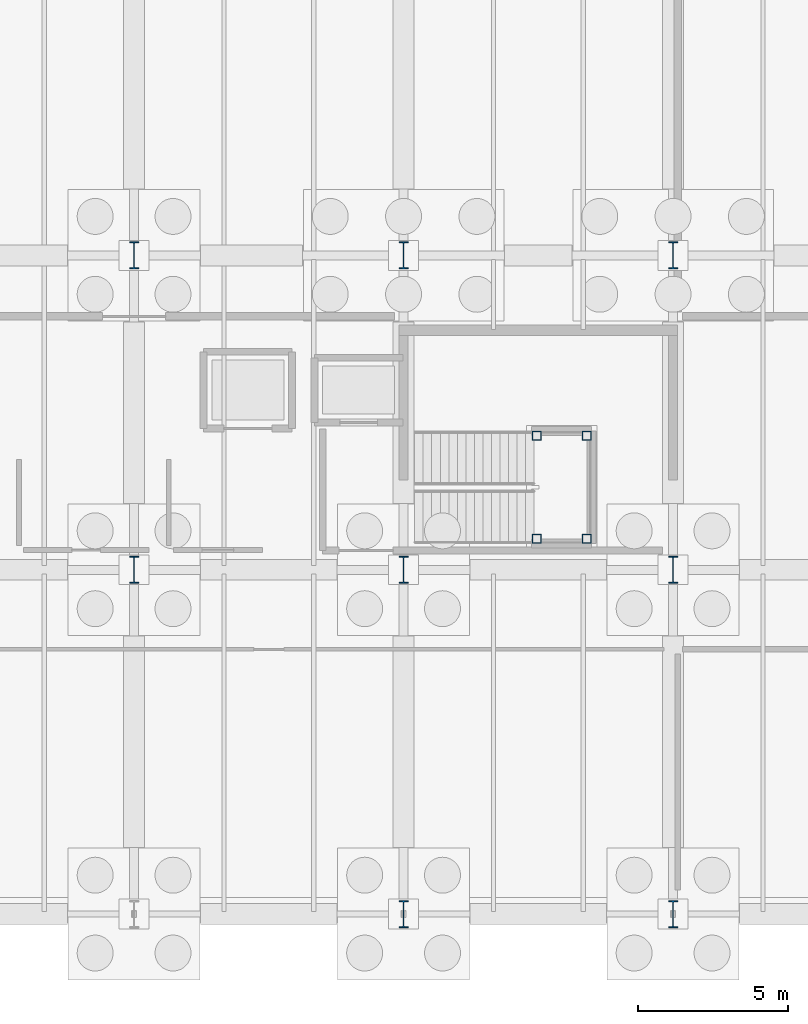
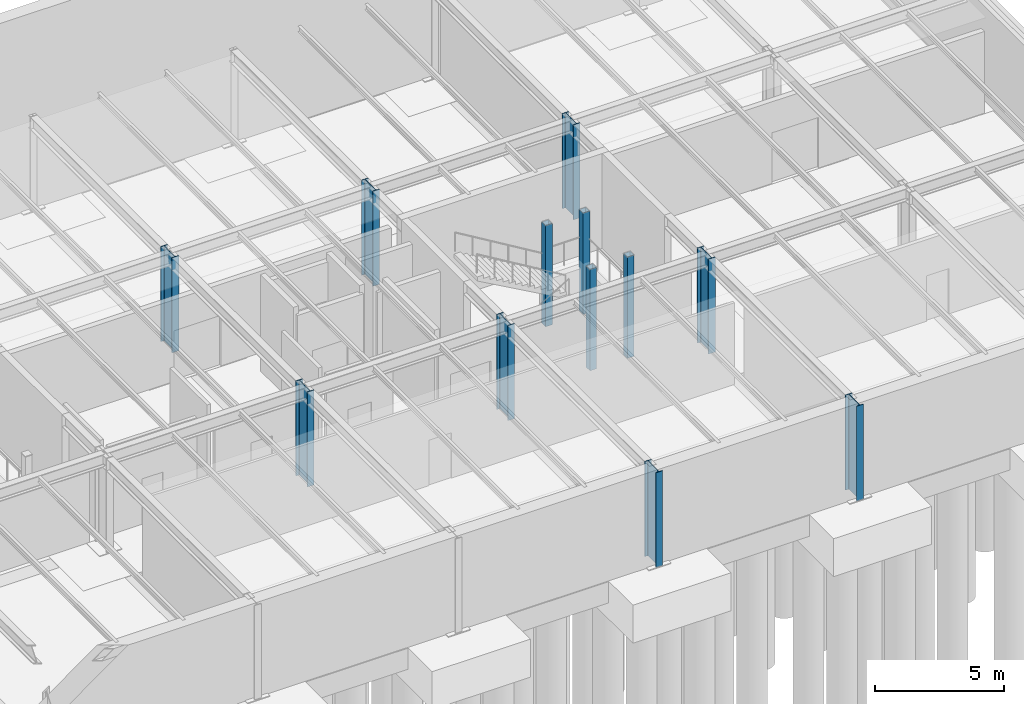
# One storey, part 4 of 19: 12 columns.
"""IFC4 building model written with IfcOpenShell, lengths in metres."""

from ifc_helpers import new_model, si_unit, direction, frame, origin, origin_2d, place, context, subcontext, project, spatial, hollow_rectangle, i_section, extrude, material, material_profile, profile_set, type_object, element, save


model = new_model("IFC4")

# Units and contexts
model_context = context("Model", 3, precision=1e-05, world=origin(), true_north=direction((0.0, 1.0)))
body_context = subcontext(model_context, "Body", "Model", "MODEL_VIEW")
ifc_project = project(units=[si_unit("LENGTHUNIT", "METRE"), si_unit("AREAUNIT", "SQUARE_METRE"), si_unit("VOLUMEUNIT", "CUBIC_METRE"), si_unit("PLANEANGLEUNIT", "RADIAN"), si_unit("MASSUNIT", "GRAM", prefix="KILO")], contexts=[model_context])

# Site, building, storey
site_placement = place(None, origin())
site = spatial("IfcSite", under=ifc_project, at=site_placement, CompositionType="ELEMENT")
building_placement = place(site_placement, origin())
building = spatial("IfcBuilding", under=site, at=building_placement, Name="Marlcrest Central Station", CompositionType="ELEMENT")
storey_placement = place(building_placement, frame((0.0, 0.0, -4.800048828125)))
storey = spatial("IfcBuildingStorey", under=building, at=storey_placement, Name="B1", CompositionType="ELEMENT", Elevation=-4.800048828125)

# Columns
ifc_material = material(Name="Steel S355", Category="steel")
ifc_material_profile_1 = material_profile(ifc_material, i_section(OverallWidth=0.300048828125, OverallDepth=0.89990234375, WebThickness=0.0185546875, FlangeThickness=0.034912109375, FilletRadius=0.030029296875, at=origin_2d()), Name="HEB 900")
ifc_profile_set_1 = profile_set([ifc_material_profile_1], Name="Steel S355")
column_type_1 = type_object("IfcColumnType", Name="SC-09", PredefinedType="COLUMN", material=ifc_profile_set_1)
for number, where, z_axis, x_axis, name in (
    (1, (36.0, 110.5, 0.0), (0.0, 0.0, 1.0), (1.0, 0.0, 0.0), "col-SC-09-B1-0018"),
    (2, (36.0, 121.0, 0.0), (0.0, 0.0, 1.0), (1.0, 0.0, 0.0), "col-SC-09-B1-0019"),
    (3, (45.0, 99.0, 0.0), (0.0, 0.0, 1.0), (1.0, 0.0, 0.0), "col-SC-09-B1-0021"),
    (4, (45.0, 110.5, 0.0), (0.0, 0.0, 1.0), (1.0, 0.0, 0.0), "col-SC-09-B1-0022"),
    (5, (45.0, 121.0, 0.0), (0.0, 0.0, 1.0), (1.0, 0.0, 0.0), "col-SC-09-B1-0023"),
    (6, (54.0, 99.0, 0.0), (0.0, 0.0, 1.0), (1.0, 0.0, 0.0), "col-SC-09-B1-0025"),
    (7, (54.0, 110.5, 0.0), (0.0, 0.0, 1.0), (1.0, 0.0, 0.0), "col-SC-09-B1-0026"),
    (8, (54.0, 121.0, 0.0), (0.0, 0.0, 1.0), (1.0, 0.0, 0.0), "col-SC-09-B1-0027"),
):
    element("IfcColumn", number, at=place(storey_placement, frame(where, z_axis=z_axis, x_axis=x_axis)), inside=storey, type_object=column_type_1, Name=name, PredefinedType="COLUMN", context=body_context, shape_type="SweptSolid", body=[
        extrude(i_section(OverallWidth=0.300048828125, OverallDepth=0.89990234375, WebThickness=0.0185546875, FlangeThickness=0.034912109375, FilletRadius=0.030029296875, at=origin_2d()), origin(), (0.0, 0.0, 1.0), 4.5),
    ])
ifc_material_profile_2 = material_profile(ifc_material, hollow_rectangle(XDim=0.300048828125, YDim=0.300048828125, WallThickness=0.01611328125, at=origin_2d()), Name="SHS 300x300x16")
ifc_profile_set_2 = profile_set([ifc_material_profile_2], Name="Steel S355")
column_type_2 = type_object("IfcColumnType", Name="SC-19", PredefinedType="COLUMN", material=ifc_profile_set_2)
for number, where, z_axis, x_axis, name in (
    (9, (49.43994140625, 111.530029296875, 0.0), (0.0, 0.0, 1.0), (1.0, 0.0, 0.0), "htcol-b1-0043-0"),
    (10, (51.1201171875, 111.530029296875, 0.0), (0.0, 0.0, 1.0), (1.0, 0.0, 0.0), "htcol-b1-0043-1"),
    (11, (51.1201171875, 114.969970703125, 0.0), (0.0, 0.0, 1.0), (1.0, 0.0, 0.0), "htcol-b1-0043-2"),
    (12, (49.43994140625, 114.969970703125, 0.0), (0.0, 0.0, 1.0), (1.0, 0.0, 0.0), "htcol-b1-0043-3"),
):
    element("IfcColumn", number, at=place(storey_placement, frame(where, z_axis=z_axis, x_axis=x_axis)), inside=storey, type_object=column_type_2, Name=name, PredefinedType="COLUMN", context=body_context, shape_type="SweptSolid", body=[
        extrude(hollow_rectangle(XDim=0.300048828125, YDim=0.300048828125, WallThickness=0.01611328125, at=origin_2d()), origin(), (0.0, 0.0, 1.0), 4.800048828125),
    ])

save(model, "model.ifc")
